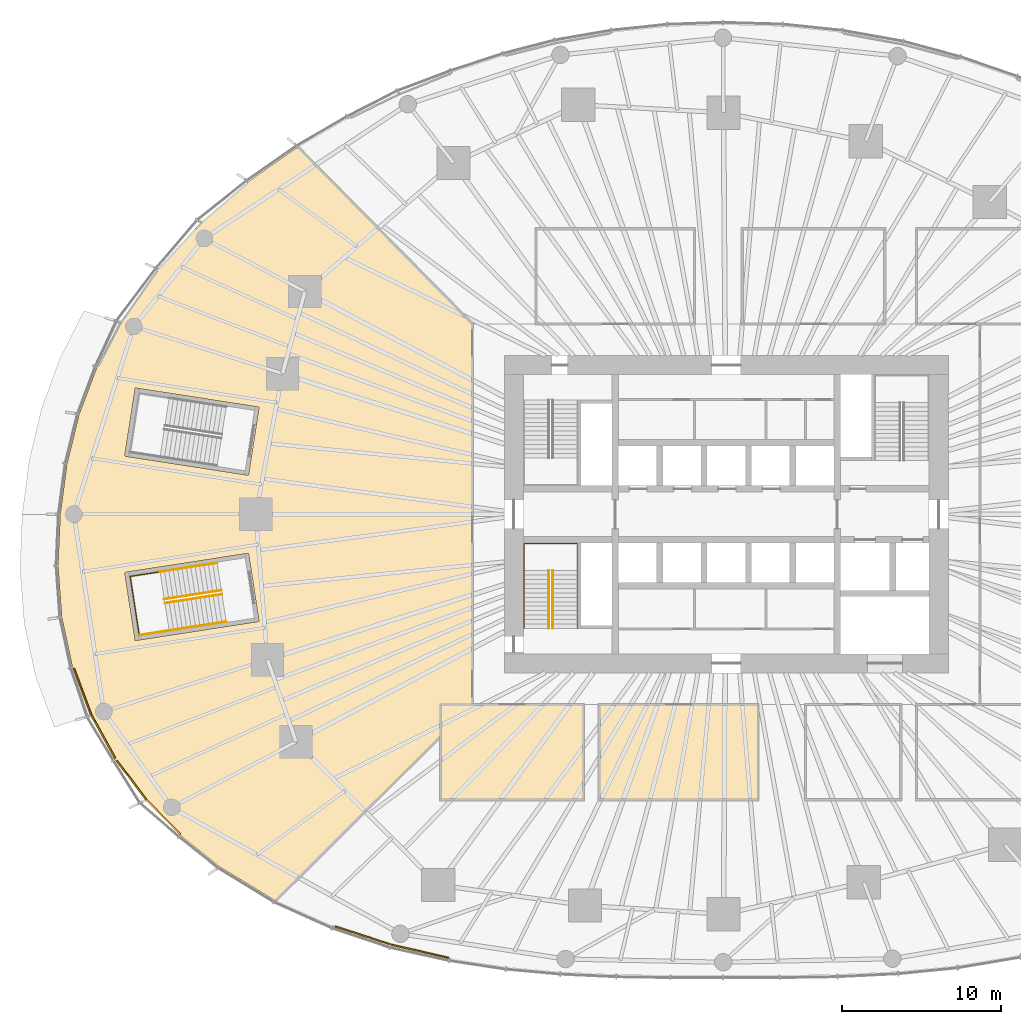
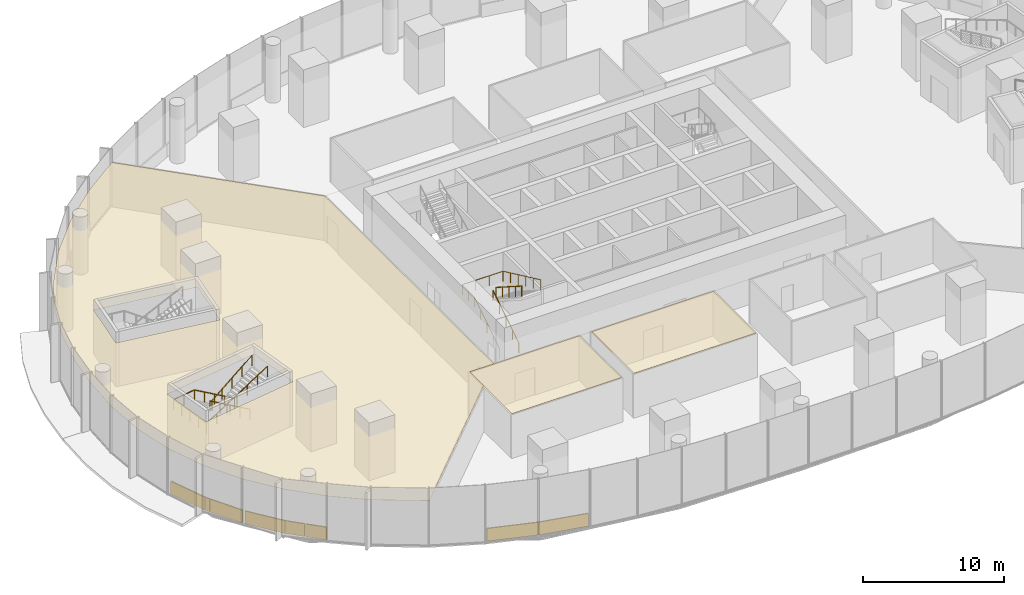
# One storey, part 24 of 28: 11 coverings, 8 railings.
"""IFC4 building model written with IfcOpenShell, lengths in metres."""

from ifc_helpers import new_model, si_unit, direction, frame, origin, origin_2d, place, context, subcontext, project, spatial, polyline, rectangle, circle, outline, extrude, material, layer, layer_set, type_object, element, save


model = new_model("IFC4")

# Units and contexts
model_context = context("Model", 3, precision=1e-05, world=origin(), true_north=direction((0.0, 1.0)))
body_context = subcontext(model_context, "Body", "Model", "MODEL_VIEW")
ifc_project = project(units=[si_unit("LENGTHUNIT", "METRE"), si_unit("AREAUNIT", "SQUARE_METRE"), si_unit("VOLUMEUNIT", "CUBIC_METRE"), si_unit("PLANEANGLEUNIT", "RADIAN"), si_unit("MASSUNIT", "GRAM", prefix="KILO")], contexts=[model_context])

# Site, building, storey
site_placement = place(None, origin())
site = spatial("IfcSite", under=ifc_project, at=site_placement, CompositionType="ELEMENT")
building_placement = place(site_placement, origin())
building = spatial("IfcBuilding", under=site, at=building_placement, Name="Ghaith Harvest Tower", CompositionType="ELEMENT")
storey_placement = place(building_placement, frame((0.0, 0.0, 5.0)))
storey = spatial("IfcBuildingStorey", under=building, at=storey_placement, Name="L01", CompositionType="ELEMENT", Elevation=5.0)

# Coverings
ifc_material_1 = material(Name="Mineral fibre ceiling tile", Category="gypsum")
ifc_layer_1 = layer(ifc_material_1, 0.014892578125)
ifc_layer_set_1 = layer_set([ifc_layer_1], Name="CEILING C3")
covering_type_1 = type_object("IfcCoveringType", Name="CEILING C3", PredefinedType="CEILING", material=ifc_layer_set_1)
covering_1_placement = place(storey_placement, frame((0.0, 0.0, 3.800048828125)))
element("IfcCovering", 1, at=covering_1_placement, inside=storey, type_object=covering_type_1, Name="Ceiling L01-04", PredefinedType="CEILING", context=body_context, shape_type="SweptSolid", body=[
    extrude(outline(polyline([(-8.0, -18.0), (2.0, -18.0), (2.0, -12.0), (-8.0, -12.0), (-8.0, -18.0)])), origin(), (0.0, 0.0, 1.0), 0.014892578125),
])
covering_2_placement = place(storey_placement, frame((0.0, 0.0, 3.800048828125)))
element("IfcCovering", 2, at=covering_2_placement, inside=storey, type_object=covering_type_1, Name="Ceiling L01-06", PredefinedType="CEILING", context=body_context, shape_type="SweptSolid", body=[
    extrude(outline(polyline([(-18.0, -18.0), (-9.0, -18.0), (-9.0, -12.0), (-18.0, -12.0), (-18.0, -18.0)])), origin(), (0.0, 0.0, 1.0), 0.014892578125),
])
covering_3_placement = place(storey_placement, frame((0.0, 0.0, 3.800048828125)))
element("IfcCovering", 3, at=covering_3_placement, inside=storey, type_object=covering_type_1, Name="Ceiling L01-W1", PredefinedType="CEILING", context=body_context, shape_type="SweptSolid", body=[
    extrude(outline(polyline([(-31.94921875, -22.230712890625), (-34.4013671875, -20.279296875), (-36.622314453125, -18.0263671875), (-38.5380859375, -15.489013671875), (-40.082763671875, -12.702880859375), (-41.22509765625, -9.660400390625), (-41.908203125, -6.48193359375), (-42.145751953125, -3.239990234375), (-42.0, 0.0), (-41.57275390625, 3.196044921875), (-40.8056640625, 6.311279296875), (-39.67919921875, 9.298095703125), (-38.212890625, 12.1103515625), (-35.857421875, 15.46728515625), (-33.12451171875, 18.423095703125), (-30.145751953125, 20.9755859375), (-27.0146484375, 23.16162109375), (-16.0, 12.0), (-16.0, -12.0), (-18.0, -12.0), (-18.0, -13.9912109375), (-28.427978515625, -24.373291015625), (-31.94921875, -22.230712890625)]), holes=[polyline([(-37.2705078125, 7.96533203125), (-37.935302734375, 3.66650390625), (-30.128173828125, 2.458984375), (-29.46337890625, 6.7578125), (-37.2705078125, 7.96533203125)]), polyline([(-30.128173828125, -2.458984375), (-37.935302734375, -3.66650390625), (-37.2705078125, -7.96533203125), (-29.46337890625, -6.7578125), (-30.128173828125, -2.458984375)])]), origin(), (0.0, 0.0, 1.0), 0.014892578125),
])

# Railings
ifc_material_2 = material(Name="Steel, black powder-coated", Category="steel")
railing_type = type_object("IfcRailingType", Name="HANDRAIL HR1", PredefinedType="HANDRAIL", material=ifc_material_2)
railing_1_placement = place(storey_placement, frame((-11.199951171875, -7.199951171875, 0.178466796875)))
element("IfcRailing", 4, at=railing_1_placement, inside=storey, type_object=railing_type, Name="Handrail HR1 stair ST3 L01 flight 1 inner", PredefinedType="HANDRAIL", context=body_context, shape_type="SweptSolid", body=[
    extrude(circle(Radius=0.02392578125, at=origin_2d()), frame((0.0, 0.0, 0.8759765625), z_axis=(0.0, 0.843111507901, 0.53773877045), x_axis=(-1.0, 0.0, 0.0)), (0.0, 0.0, 1.0), 4.317138671875),
    extrude(circle(Radius=0.02099609375, at=origin_2d()), origin(), (0.0, 0.0, 1.0), 0.851806640625),
    extrude(circle(Radius=0.02099609375, at=origin_2d()), frame((0.0, 0.909912109375, 0.580322265625)), (0.0, 0.0, 1.0), 0.851806640625),
    extrude(circle(Radius=0.02099609375, at=origin_2d()), frame((0.0, 1.81982421875, 1.16064453125)), (0.0, 0.0, 1.0), 0.851806640625),
    extrude(circle(Radius=0.02099609375, at=origin_2d()), frame((0.0, 2.72998046875, 1.7412109375)), (0.0, 0.0, 1.0), 0.851806640625),
    extrude(circle(Radius=0.02099609375, at=origin_2d()), frame((0.0, 3.639892578125, 2.321533203125)), (0.0, 0.0, 1.0), 0.851806640625),
])
railing_2_placement = place(storey_placement, frame((-10.949951171875, -3.56005859375, 2.678466796875)))
element("IfcRailing", 5, at=railing_2_placement, inside=storey, type_object=railing_type, Name="Handrail HR1 stair ST3 L01 flight 2 inner", PredefinedType="HANDRAIL", context=body_context, shape_type="SweptSolid", body=[
    extrude(circle(Radius=0.02392578125, at=origin_2d()), frame((0.0, 0.0, 0.8759765625), z_axis=(0.0, -0.843111507901, 0.53773877045), x_axis=(1.0, 0.0, 0.0)), (0.0, 0.0, 1.0), 4.317138671875),
    extrude(circle(Radius=0.02099609375, at=origin_2d()), origin(), (0.0, 0.0, 1.0), 0.851806640625),
    extrude(circle(Radius=0.02099609375, at=origin_2d()), frame((0.0, -0.909912109375, 0.580322265625)), (0.0, 0.0, 1.0), 0.851806640625),
    extrude(circle(Radius=0.02099609375, at=origin_2d()), frame((0.0, -1.81982421875, 1.16064453125)), (0.0, 0.0, 1.0), 0.851806640625),
    extrude(circle(Radius=0.02099609375, at=origin_2d()), frame((0.0, -2.72998046875, 1.7412109375)), (0.0, 0.0, 1.0), 0.851806640625),
    extrude(circle(Radius=0.02099609375, at=origin_2d()), frame((0.0, -3.639892578125, 2.321533203125)), (0.0, 0.0, 1.0), 0.851806640625),
])
railing_3_placement = place(storey_placement, frame((-12.75, -7.199951171875, 0.178466796875)))
element("IfcRailing", 6, at=railing_3_placement, inside=storey, type_object=railing_type, Name="Handrail HR1 stair ST3 L01 wall side", PredefinedType="HANDRAIL", context=body_context, shape_type="SweptSolid", body=[
    extrude(circle(Radius=0.02392578125, at=origin_2d()), frame((0.0, 0.0, 0.8759765625), z_axis=(0.0, 0.843111507901, 0.53773877045), x_axis=(-1.0, 0.0, 0.0)), (0.0, 0.0, 1.0), 4.317138671875),
    extrude(circle(Radius=0.02392578125, at=origin_2d()), frame((0.0, 3.639892578125, 3.197265625), z_axis=(0.0, 1.0, 0.0), x_axis=(-1.0, 0.0, 0.0)), (0.0, 0.0, 1.0), 1.7099609375),
    extrude(circle(Radius=0.02392578125, at=origin_2d()), frame((0.0, 5.349853515625, 3.197265625), z_axis=(1.0, 0.0, 0.0), x_axis=(0.0, 1.0, 0.0)), (0.0, 0.0, 1.0), 3.35009765625),
    extrude(circle(Radius=0.02392578125, at=origin_2d()), frame((3.35009765625, 5.349853515625, 3.197265625), z_axis=(0.0, -0.905962265858, 0.423358444868), x_axis=(1.0, 0.0, 0.0)), (0.0, 0.0, 1.0), 5.9052734375),
    extrude(circle(Radius=0.02099609375, at=origin_2d()), origin(), (0.0, 0.0, 1.0), 0.851806640625),
    extrude(circle(Radius=0.02099609375, at=origin_2d()), frame((0.0, 0.909912109375, 0.580322265625)), (0.0, 0.0, 1.0), 0.851806640625),
    extrude(circle(Radius=0.02099609375, at=origin_2d()), frame((0.0, 1.81982421875, 1.16064453125)), (0.0, 0.0, 1.0), 0.851806640625),
    extrude(circle(Radius=0.02099609375, at=origin_2d()), frame((0.0, 2.72998046875, 1.7412109375)), (0.0, 0.0, 1.0), 0.851806640625),
    extrude(circle(Radius=0.02099609375, at=origin_2d()), frame((0.0, 3.639892578125, 2.321533203125)), (0.0, 0.0, 1.0), 0.851806640625),
    extrude(circle(Radius=0.02099609375, at=origin_2d()), frame((0.0, 4.494873046875, 2.321533203125)), (0.0, 0.0, 1.0), 0.851806640625),
    extrude(circle(Radius=0.02099609375, at=origin_2d()), frame((0.0, 5.349853515625, 2.321533203125)), (0.0, 0.0, 1.0), 0.851806640625),
    extrude(circle(Radius=0.02099609375, at=origin_2d()), frame((1.11669921875, 5.349853515625, 2.321533203125)), (0.0, 0.0, 1.0), 0.851806640625),
    extrude(circle(Radius=0.02099609375, at=origin_2d()), frame((2.2333984375, 5.349853515625, 2.321533203125)), (0.0, 0.0, 1.0), 0.851806640625),
    extrude(circle(Radius=0.02099609375, at=origin_2d()), frame((3.35009765625, 5.349853515625, 2.321533203125)), (0.0, 0.0, 1.0), 0.851806640625),
    extrude(circle(Radius=0.02099609375, at=origin_2d()), frame((3.35009765625, 4.27978515625, 2.821533203125)), (0.0, 0.0, 1.0), 0.851806640625),
    extrude(circle(Radius=0.02099609375, at=origin_2d()), frame((3.35009765625, 3.2099609375, 3.321533203125)), (0.0, 0.0, 1.0), 0.851806640625),
    extrude(circle(Radius=0.02099609375, at=origin_2d()), frame((3.35009765625, 2.139892578125, 3.821533203125)), (0.0, 0.0, 1.0), 0.851806640625),
    extrude(circle(Radius=0.02099609375, at=origin_2d()), frame((3.35009765625, 1.070068359375, 4.321533203125)), (0.0, 0.0, 1.0), 0.851806640625),
    extrude(circle(Radius=0.02099609375, at=origin_2d()), frame((3.35009765625, 0.0, 4.821533203125)), (0.0, 0.0, 1.0), 0.851806640625),
])
railing_4_placement = place(storey_placement, frame((-31.8408203125, -4.79833984375, 0.178466796875)))
element("IfcRailing", 7, at=railing_4_placement, inside=storey, type_object=railing_type, Name="Handrail HR1 stair PS3 L01 flight 1 inner", PredefinedType="HANDRAIL", context=body_context, shape_type="SweptSolid", body=[
    extrude(circle(Radius=0.02392578125, at=origin_2d()), frame((0.0, 0.0, 0.8759765625), z_axis=(-0.833212825692, -0.128821692475, 0.537737258009), x_axis=(0.152793010032, -0.988258213265, 0.0)), (0.0, 0.0, 1.0), 4.317138671875),
    extrude(circle(Radius=0.02099609375, at=origin_2d()), origin(), (0.0, 0.0, 1.0), 0.851806640625),
    extrude(circle(Radius=0.02099609375, at=origin_2d()), frame((-0.8994140625, -0.13916015625, 0.580322265625)), (0.0, 0.0, 1.0), 0.851806640625),
    extrude(circle(Radius=0.02099609375, at=origin_2d()), frame((-1.798583984375, -0.278076171875, 1.16064453125)), (0.0, 0.0, 1.0), 0.851806640625),
    extrude(circle(Radius=0.02099609375, at=origin_2d()), frame((-2.69775390625, -0.4169921875, 1.7412109375)), (0.0, 0.0, 1.0), 0.851806640625),
    extrude(circle(Radius=0.02099609375, at=origin_2d()), frame((-3.59716796875, -0.55615234375, 2.321533203125)), (0.0, 0.0, 1.0), 0.851806640625),
])
railing_5_placement = place(storey_placement, frame((-35.399658203125, -5.601806640625, 2.678466796875)))
element("IfcRailing", 8, at=railing_5_placement, inside=storey, type_object=railing_type, Name="Handrail HR1 stair PS3 L01 flight 2 inner", PredefinedType="HANDRAIL", context=body_context, shape_type="SweptSolid", body=[
    extrude(circle(Radius=0.02392578125, at=origin_2d()), frame((0.0, 0.0, 0.8759765625), z_axis=(0.833206754544, 0.12887730376, 0.537733339823), x_axis=(-0.152858516466, 0.988248083198, 0.0)), (0.0, 0.0, 1.0), 4.317138671875),
    extrude(circle(Radius=0.02099609375, at=origin_2d()), origin(), (0.0, 0.0, 1.0), 0.851806640625),
    extrude(circle(Radius=0.02099609375, at=origin_2d()), frame((0.8994140625, 0.13916015625, 0.580322265625)), (0.0, 0.0, 1.0), 0.851806640625),
    extrude(circle(Radius=0.02099609375, at=origin_2d()), frame((1.798583984375, 0.2783203125, 1.16064453125)), (0.0, 0.0, 1.0), 0.851806640625),
    extrude(circle(Radius=0.02099609375, at=origin_2d()), frame((2.69775390625, 0.417236328125, 1.7412109375)), (0.0, 0.0, 1.0), 0.851806640625),
    extrude(circle(Radius=0.02099609375, at=origin_2d()), frame((3.59716796875, 0.556396484375, 2.321533203125)), (0.0, 0.0, 1.0), 0.851806640625),
])
railing_6_placement = place(storey_placement, frame((-32.108154296875, -3.06884765625, 0.178466796875)))
element("IfcRailing", 9, at=railing_6_placement, inside=storey, type_object=railing_type, Name="Handrail HR1 stair PS3 L01 wall side flight 1", PredefinedType="HANDRAIL", context=body_context, shape_type="SweptSolid", body=[
    extrude(circle(Radius=0.02392578125, at=origin_2d()), frame((0.0, 0.0, 0.8759765625), z_axis=(-0.833206754544, -0.12887730376, 0.537733339823), x_axis=(0.152858516466, -0.988248083198, 0.0)), (0.0, 0.0, 1.0), 4.317138671875),
    extrude(circle(Radius=0.02099609375, at=origin_2d()), origin(), (0.0, 0.0, 1.0), 0.851806640625),
    extrude(circle(Radius=0.02099609375, at=origin_2d()), frame((-0.8994140625, -0.13916015625, 0.580322265625)), (0.0, 0.0, 1.0), 0.851806640625),
    extrude(circle(Radius=0.02099609375, at=origin_2d()), frame((-1.798583984375, -0.2783203125, 1.16064453125)), (0.0, 0.0, 1.0), 0.851806640625),
    extrude(circle(Radius=0.02099609375, at=origin_2d()), frame((-2.69775390625, -0.417236328125, 1.7412109375)), (0.0, 0.0, 1.0), 0.851806640625),
    extrude(circle(Radius=0.02099609375, at=origin_2d()), frame((-3.59716796875, -0.556396484375, 2.321533203125)), (0.0, 0.0, 1.0), 0.851806640625),
])
railing_7_placement = place(storey_placement, frame((-35.705322265625, -3.625244140625, 2.5)))
element("IfcRailing", 10, at=railing_7_placement, inside=storey, type_object=railing_type, Name="Handrail HR1 stair PS3 L01 wall side half landing", PredefinedType="HANDRAIL", context=body_context, shape_type="SweptSolid", body=[
    extrude(circle(Radius=0.02392578125, at=origin_2d()), frame((0.0, 0.0, 0.8759765625), z_axis=(-0.988247249759, -0.152863904645, 0.0), x_axis=(0.152863904645, -0.988247249759, 0.0)), (0.0, 0.0, 1.0), 1.91015625),
    extrude(circle(Radius=0.02392578125, at=origin_2d()), frame((-1.8876953125, -0.2919921875, 0.8759765625), z_axis=(0.152869266423, -0.988246420375, 0.0), x_axis=(0.988246420375, 0.152869266423, 0.0)), (0.0, 0.0, 1.0), 3.75),
    extrude(circle(Radius=0.02099609375, at=origin_2d()), origin(), (0.0, 0.0, 1.0), 0.851806640625),
    extrude(circle(Radius=0.02099609375, at=origin_2d()), frame((-0.94384765625, -0.14599609375, 0.0)), (0.0, 0.0, 1.0), 0.851806640625),
    extrude(circle(Radius=0.02099609375, at=origin_2d()), frame((-1.8876953125, -0.2919921875, 0.0)), (0.0, 0.0, 1.0), 0.851806640625),
    extrude(circle(Radius=0.02099609375, at=origin_2d()), frame((-1.744384765625, -1.218505859375, 0.0)), (0.0, 0.0, 1.0), 0.851806640625),
    extrude(circle(Radius=0.02099609375, at=origin_2d()), frame((-1.60107421875, -2.14501953125, 0.0)), (0.0, 0.0, 1.0), 0.851806640625),
    extrude(circle(Radius=0.02099609375, at=origin_2d()), frame((-1.457763671875, -3.0712890625, 0.0)), (0.0, 0.0, 1.0), 0.851806640625),
    extrude(circle(Radius=0.02099609375, at=origin_2d()), frame((-1.314453125, -3.997802734375, 0.0)), (0.0, 0.0, 1.0), 0.851806640625),
])
railing_8_placement = place(storey_placement, frame((-37.019775390625, -7.623046875, 2.5)))
element("IfcRailing", 11, at=railing_8_placement, inside=storey, type_object=railing_type, Name="Handrail HR1 stair PS3 L01 wall side flight 2", PredefinedType="HANDRAIL", context=body_context, shape_type="SweptSolid", body=[
    extrude(circle(Radius=0.02392578125, at=origin_2d()), frame((0.0, 0.0, 0.8759765625), z_axis=(0.901059941351, 0.139334204409, 0.410703008966), x_axis=(-0.152817409709, 0.988254440562, 0.0)), (0.0, 0.0, 1.0), 6.087158203125),
    extrude(circle(Radius=0.02099609375, at=origin_2d()), origin(), (0.0, 0.0, 1.0), 0.851806640625),
    extrude(circle(Radius=0.02099609375, at=origin_2d()), frame((0.9140625, 0.141357421875, 0.416748046875)), (0.0, 0.0, 1.0), 0.851806640625),
    extrude(circle(Radius=0.02099609375, at=origin_2d()), frame((1.828369140625, 0.28271484375, 0.833251953125)), (0.0, 0.0, 1.0), 0.851806640625),
    extrude(circle(Radius=0.02099609375, at=origin_2d()), frame((2.742431640625, 0.424072265625, 1.25)), (0.0, 0.0, 1.0), 0.851806640625),
    extrude(circle(Radius=0.02099609375, at=origin_2d()), frame((3.656494140625, 0.5654296875, 1.666748046875)), (0.0, 0.0, 1.0), 0.851806640625),
    extrude(circle(Radius=0.02099609375, at=origin_2d()), frame((4.57080078125, 0.706787109375, 2.083251953125)), (0.0, 0.0, 1.0), 0.851806640625),
    extrude(circle(Radius=0.02099609375, at=origin_2d()), frame((5.48486328125, 0.84814453125, 2.5)), (0.0, 0.0, 1.0), 0.851806640625),
])

# Coverings
ifc_material_3 = material(Name="Insulated aluminium spandrel panel on steel framing", Category="steel")
ifc_layer_2 = layer(ifc_material_3, 0.10009765625)
ifc_layer_set_2 = layer_set([ifc_layer_2], Name="SLAB EDGE UPSTAND 1100x100")
covering_type_2 = type_object("IfcCoveringType", Name="SLAB EDGE UPSTAND 1100x100", PredefinedType="CLADDING", material=ifc_layer_set_2)
covering_4_placement = place(storey_placement, frame((-40.589599609375, -11.2109375, 0.0), z_axis=(0.0, 0.0, 1.0), x_axis=(0.351505868919, -0.936185678226, 0.0)))
element("IfcCovering", 12, at=covering_4_placement, inside=storey, type_object=covering_type_2, Name="Slab edge upstand 4 bay 11 L01", PredefinedType="CLADDING", context=body_context, shape_type="SweptSolid", body=[
    extrude(rectangle(XDim=3.14990234375, YDim=0.10009765625, at=origin_2d()), origin(), (0.0, 0.0, 1.0), 1.10009765625),
])
covering_5_placement = place(storey_placement, frame((-39.94921875, -12.84033203125, 0.0), z_axis=(0.0, 0.0, 1.0), x_axis=(0.484856289206, -0.874593836485, 0.0)))
element("IfcCovering", 13, at=covering_5_placement, inside=storey, type_object=covering_type_2, Name="Slab edge upstand 1 bay 12 L01", PredefinedType="CLADDING", context=body_context, shape_type="SweptSolid", body=[
    extrude(rectangle(XDim=0.36962890625, YDim=0.10009765625, at=origin_2d()), origin(), (0.0, 0.0, 1.0), 1.10009765625),
])
covering_6_placement = place(storey_placement, frame((-39.19482421875, -14.201416015625, 0.0), z_axis=(0.0, 0.0, 1.0), x_axis=(0.484856289206, -0.874593836485, 0.0)))
element("IfcCovering", 14, at=covering_6_placement, inside=storey, type_object=covering_type_2, Name="Slab edge upstand 1 bay 12 L01", PredefinedType="CLADDING", context=body_context, shape_type="SweptSolid", body=[
    extrude(rectangle(XDim=2.689208984375, YDim=0.10009765625, at=origin_2d()), origin(), (0.0, 0.0, 1.0), 1.10009765625),
])
covering_7_placement = place(storey_placement, frame((-37.51025390625, -16.767333984375, 0.0), z_axis=(0.0, 0.0, 1.0), x_axis=(0.602577245128, -0.798060563901, 0.0)))
element("IfcCovering", 15, at=covering_7_placement, inside=storey, type_object=covering_type_2, Name="Slab edge upstand 2 bay 12 L01", PredefinedType="CLADDING", context=body_context, shape_type="SweptSolid", body=[
    extrude(rectangle(XDim=3.079345703125, YDim=0.10009765625, at=origin_2d()), origin(), (0.0, 0.0, 1.0), 1.10009765625),
])
covering_8_placement = place(storey_placement, frame((-36.07861328125, -18.506591796875, 0.0), z_axis=(0.0, 0.0, 1.0), x_axis=(0.702023932674, -0.712153352834, 0.0)))
element("IfcCovering", 16, at=covering_8_placement, inside=storey, type_object=covering_type_2, Name="Slab edge upstand 3 bay 12 L01", PredefinedType="CLADDING", context=body_context, shape_type="SweptSolid", body=[
    extrude(rectangle(XDim=1.447509765625, YDim=0.10009765625, at=origin_2d()), origin(), (0.0, 0.0, 1.0), 1.10009765625),
])
covering_9_placement = place(storey_placement, frame((-34.9736328125, -19.62744140625, 0.0), z_axis=(0.0, 0.0, 1.0), x_axis=(0.702023932674, -0.712153352834, 0.0)))
element("IfcCovering", 17, at=covering_9_placement, inside=storey, type_object=covering_type_2, Name="Slab edge upstand 3 bay 12 L01", PredefinedType="CLADDING", context=body_context, shape_type="SweptSolid", body=[
    extrude(rectangle(XDim=1.53173828125, YDim=0.10009765625, at=origin_2d()), origin(), (0.0, 0.0, 1.0), 1.10009765625),
])
covering_10_placement = place(storey_placement, frame((-22.88818359375, -26.572021484375, 0.0), z_axis=(0.0, 0.0, 1.0), x_axis=(0.95084312878, -0.309672963709, 0.0)))
element("IfcCovering", 18, at=covering_10_placement, inside=storey, type_object=covering_type_2, Name="Slab edge upstand 3 bay 13 L01", PredefinedType="CLADDING", context=body_context, shape_type="SweptSolid", body=[
    extrude(rectangle(XDim=3.743896484375, YDim=0.10009765625, at=origin_2d()), origin(), (0.0, 0.0, 1.0), 1.10009765625),
])
covering_11_placement = place(storey_placement, frame((-19.307861328125, -27.561767578125, 0.0), z_axis=(0.0, 0.0, 1.0), x_axis=(0.974987660425, -0.22225899761, 0.0)))
element("IfcCovering", 19, at=covering_11_placement, inside=storey, type_object=covering_type_2, Name="Slab edge upstand 1 bay 14 L01", PredefinedType="CLADDING", context=body_context, shape_type="SweptSolid", body=[
    extrude(rectangle(XDim=3.7021484375, YDim=0.10009765625, at=origin_2d()), origin(), (0.0, 0.0, 1.0), 1.10009765625),
])

save(model, "model.ifc")
